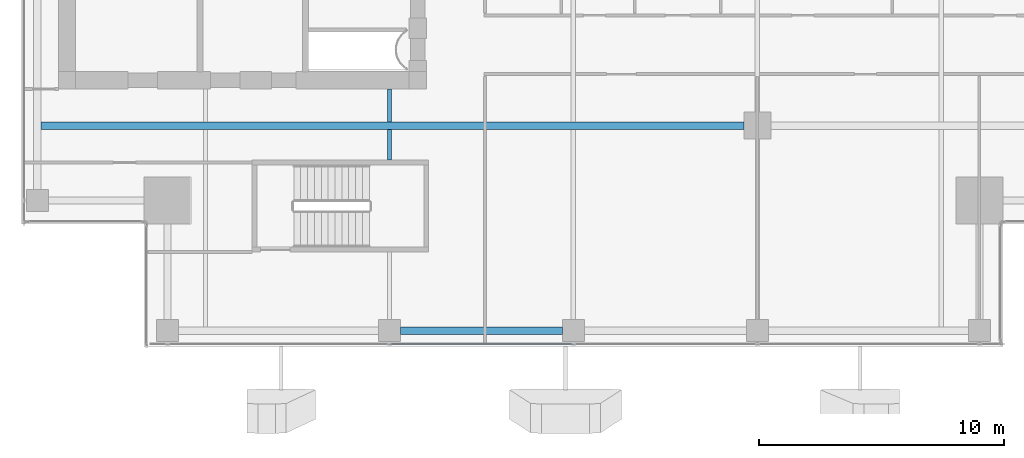
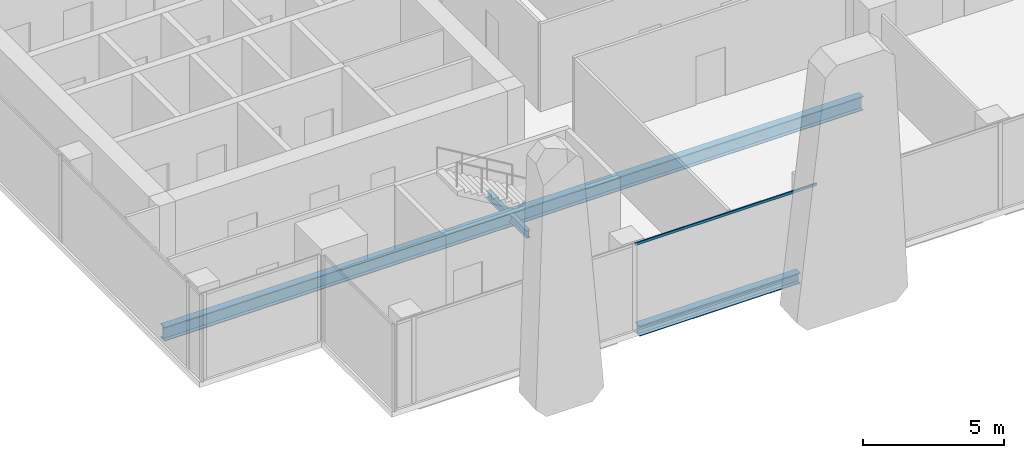
# One storey, part 5 of 36: 4 beams, 1 member, 1 element without a shape of its own.
"""IFC4 building model written with IfcOpenShell, lengths in metres."""

from ifc_helpers import new_model, si_unit, direction, frame, origin, origin_2d, place, context, subcontext, project, spatial, hollow_rectangle, i_section, extrude, source, transform, mapped, material, material_profile, profile_set, type_object, element, aggregate, save


model = new_model("IFC4")

# Units and contexts
model_context = context("Model", 3, precision=1e-05, world=origin(), true_north=direction((0.0, 1.0)))
body_context = subcontext(model_context, "Body", "Model", "MODEL_VIEW")
ifc_project = project(units=[si_unit("LENGTHUNIT", "METRE"), si_unit("AREAUNIT", "SQUARE_METRE"), si_unit("VOLUMEUNIT", "CUBIC_METRE"), si_unit("PLANEANGLEUNIT", "RADIAN"), si_unit("MASSUNIT", "GRAM", prefix="KILO")], contexts=[model_context])

# Site, building, storey
site_placement = place(None, origin())
site = spatial("IfcSite", under=ifc_project, at=site_placement, CompositionType="ELEMENT")
building_placement = place(site_placement, origin())
building = spatial("IfcBuilding", under=site, at=building_placement, Name="Khomas Fold Tower", CompositionType="ELEMENT")
storey_placement = place(building_placement, frame((0.0, 0.0, 238.199951171875)))
storey = spatial("IfcBuildingStorey", under=building, at=storey_placement, Name="L53", CompositionType="ELEMENT", Elevation=238.199951171875)

# Beams
ifc_material_1 = material(Name="Steel S355", Category="steel")
ifc_material_profile_1 = material_profile(ifc_material_1, i_section(OverallWidth=0.159912109375, OverallDepth=0.330078125, WebThickness=0.007568359375, FlangeThickness=0.011474609375, at=origin_2d()), Name="IPE 330")
ifc_profile_set_1 = profile_set([ifc_material_profile_1], Name="Steel S355")
beam_type_1 = type_object("IfcBeamType", Name="IPE 330 beam JB1", PredefinedType="BEAM", material=ifc_profile_set_1)
shared_shape_1 = source(origin(), body_context, "Body", "SweptSolid", [
    extrude(i_section(OverallWidth=0.159912109375, OverallDepth=0.330078125, WebThickness=0.007568359375, FlangeThickness=0.011474609375, at=origin_2d()), origin(), (0.0, 0.0, 1.0), 1.25),
])
beam_1_placement = place(storey_placement, frame((19.5, 12.10009765625, -0.4150390625), z_axis=(0.0, 1.0, 0.0), x_axis=(-1.0, 0.0, 0.0)))
element("IfcBeam", 1, at=beam_1_placement, inside=storey, type_object=beam_type_1, Name="JB1", PredefinedType="BEAM", context=body_context, shape_type="MappedRepresentation", body=[
    mapped(shared_shape_1, transform((0.0, 0.0, 0.0))),
])
shared_shape_2 = source(origin(), body_context, "Body", "SweptSolid", [
    extrude(i_section(OverallWidth=0.159912109375, OverallDepth=0.330078125, WebThickness=0.007568359375, FlangeThickness=0.011474609375, at=origin_2d()), origin(), (0.0, 0.0, 1.0), 1.35009765625),
])
beam_2_placement = place(storey_placement, frame((19.5, 13.64990234375, -0.4150390625), z_axis=(0.0, 1.0, 0.0), x_axis=(-1.0, 0.0, 0.0)))
element("IfcBeam", 2, at=beam_2_placement, inside=storey, type_object=beam_type_1, Name="JB1", PredefinedType="BEAM", context=body_context, shape_type="MappedRepresentation", body=[
    mapped(shared_shape_2, transform((0.0, 0.0, 0.0))),
])
ifc_material_2 = material(Name="Steel S355", Category="steel")
ifc_material_profile_2 = material_profile(ifc_material_2, i_section(OverallWidth=0.300048828125, OverallDepth=0.449951171875, WebThickness=0.013916015625, FlangeThickness=0.02587890625, at=origin_2d()), Name="HE 450 B")
ifc_profile_set_2 = profile_set([ifc_material_profile_2], Name="Steel S355")
beam_type_2 = type_object("IfcBeamType", Name="HE 450 B spandrel SB4", PredefinedType="SPANDREL", material=ifc_profile_set_2)
shared_shape_3 = source(origin(), body_context, "Body", "SweptSolid", [
    extrude(i_section(OverallWidth=0.300048828125, OverallDepth=0.449951171875, WebThickness=0.013916015625, FlangeThickness=0.02587890625, at=origin_2d()), origin(), (0.0, 0.0, 1.0), 6.60009765625),
])
beam_3_placement = place(storey_placement, frame((19.949951171875, 5.14990234375, -0.474853515625), z_axis=(1.0, 0.0, 0.0), x_axis=(0.0, 1.0, 0.0)))
element("IfcBeam", 3, at=beam_3_placement, inside=storey, type_object=beam_type_2, Name="SB4", PredefinedType="SPANDREL", context=body_context, shape_type="MappedRepresentation", body=[
    mapped(shared_shape_3, transform((0.0, 0.0, 0.0))),
])
ifc_material_3 = material(Name="Steel S355", Category="steel")
ifc_material_profile_3 = material_profile(ifc_material_3, i_section(OverallWidth=0.300048828125, OverallDepth=0.60009765625, WebThickness=0.015380859375, FlangeThickness=0.030029296875, at=origin_2d()), Name="HE 600 B")
ifc_profile_set_3 = profile_set([ifc_material_profile_3], Name="Steel S355")
beam_type_3 = type_object("IfcBeamType", Name="HE 600 B beam GB5", PredefinedType="BEAM", material=ifc_profile_set_3)
shared_shape_4 = source(origin(), body_context, "Body", "SweptSolid", [
    extrude(i_section(OverallWidth=0.300048828125, OverallDepth=0.60009765625, WebThickness=0.015380859375, FlangeThickness=0.030029296875, at=origin_2d()), origin(), (0.0, 0.0, 1.0), 28.64990234375),
])
beam_4_placement = place(storey_placement, frame((5.300048828125, 13.5, -0.550048828125), z_axis=(1.0, 0.0, 0.0), x_axis=(0.0, 1.0, 0.0)))
element("IfcBeam", 4, at=beam_4_placement, inside=storey, type_object=beam_type_3, Name="GB5", PredefinedType="BEAM", context=body_context, shape_type="MappedRepresentation", body=[
    mapped(shared_shape_4, transform((0.0, 0.0, 0.0))),
])

# Curtain wall, member
ifc_material_4 = material(Name="Aluminium framed double glazing", Category="aluminium")
curtain_wall_type = type_object("IfcCurtainWallType", Name="SK-Unitised clear-glass wall, office floors CW2", PredefinedType="NOTDEFINED", material=ifc_material_4)
curtain_wall_placement = place(storey_placement, origin())
curtain_wall = element("IfcCurtainWall", 5, at=curtain_wall_placement, inside=storey, type_object=curtain_wall_type, Name="CW2 run L53 00-0", PredefinedType="NOTDEFINED")
ifc_material_5 = material(Name="Aluminium", Category="aluminium")
ifc_material_profile_4 = material_profile(ifc_material_5, hollow_rectangle(XDim=0.050048828125, YDim=0.110107421875, WallThickness=0.00390625, at=origin_2d()), Name="SK-Unitised clear-glass wall, office floors transom CW2-T")
ifc_profile_set_4 = profile_set([ifc_material_profile_4], Name="Aluminium")
member_type = type_object("IfcMemberType", Name="SK-Unitised clear-glass wall, office floors transom CW2-T", PredefinedType="USERDEFINED", material=ifc_profile_set_4)
shared_shape_5 = source(origin(), body_context, "Body", "SweptSolid", [
    extrude(hollow_rectangle(XDim=0.050048828125, YDim=0.110107421875, WallThickness=0.00390625, at=origin_2d()), origin(), (0.0, 0.0, 1.0), 7.43994140625),
])
member_placement = place(storey_placement, frame((19.530029296875, 4.60009765625, 3.695068359375), z_axis=(1.0, 0.0, 0.0), x_axis=(0.0, 1.0, 0.0)))
member = element("IfcMember", 6, at=member_placement, type_object=member_type, Name="CW2 transom 3", ObjectType="TRANSOM", PredefinedType="USERDEFINED", context=body_context, shape_type="MappedRepresentation", body=[
    mapped(shared_shape_5, transform((0.0, 0.0, 0.0))),
])
aggregate(curtain_wall, [member])

save(model, "model.ifc")
